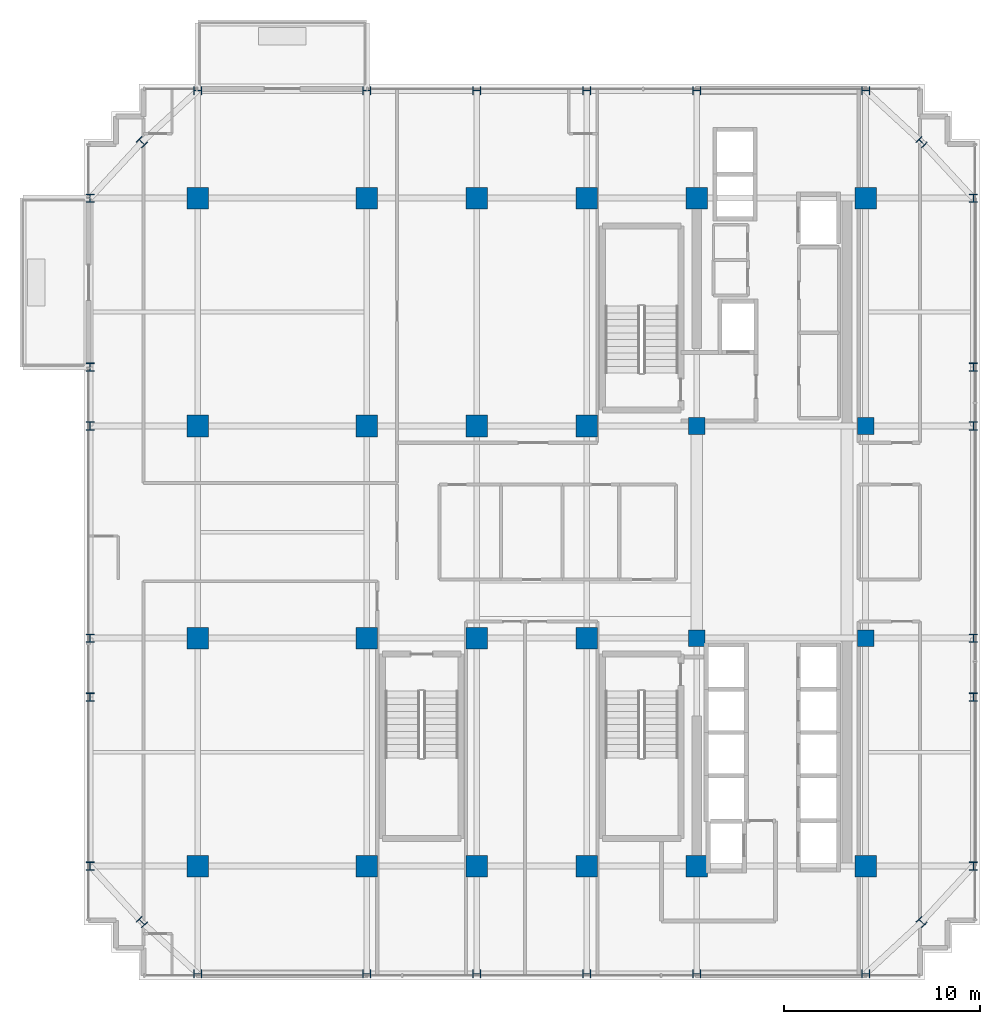
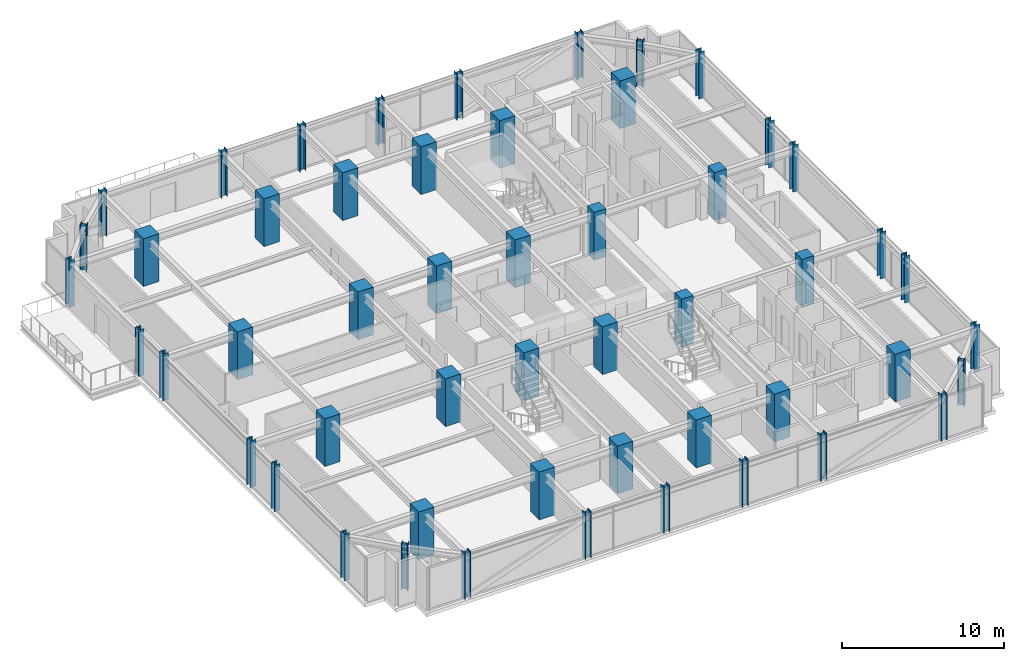
# One storey, part 1 of 32: 52 columns.
"""IFC4 building model written with IfcOpenShell, lengths in metres."""

import ifcopenshell
import ifcopenshell.guid

model = None  # the IFC model being written
_history = None  # IfcOwnerHistory: only IFC2X3 demands one
_inside = {}  # id of a spatial element -> (the spatial element, [elements in it])
_under = {}  # id of a project, library or spatial element -> (it, [spatial elements below it])
_declared = {}  # id of a project -> (the project, [libraries it declares])
_typed = {}  # id of a type object -> (the type object, [elements of that type])
_made_of = {}  # id of a material, layer set ... -> (it, [elements and type objects made of it])


def new_model(schema):
    """Start an empty IFC model of exactly this schema.

    Asked for "IFC4X3", IfcOpenShell would pick the latest addendum, in which some entities
    have other attributes; the version numbers below select the first issue.
    IFC2X3 requires an IfcOwnerHistory on every rooted entity: one is made here for all.
    """
    global model, _history
    if schema == "IFC4X3":
        model = ifcopenshell.file(schema_version=(4, 3, 0, 0))
    else:
        model = ifcopenshell.file(schema=schema)
    _inside.clear()
    _under.clear()
    _declared.clear()
    _typed.clear()
    _made_of.clear()
    _history = None
    if model.schema == "IFC2X3":
        org = make("IfcOrganization", Name="unknown")
        user = make(
            "IfcPersonAndOrganization",
            ThePerson=make("IfcPerson", FamilyName="unknown"),
            TheOrganization=org,
        )
        app = make(
            "IfcApplication",
            ApplicationDeveloper=org,
            Version="unknown",
            ApplicationFullName="unknown",
            ApplicationIdentifier="unknown",
        )
        _history = make(
            "IfcOwnerHistory",
            OwningUser=user,
            OwningApplication=app,
            ChangeAction="ADDED",
            CreationDate=0,
        )
    return model


def make(cls, **values):
    """One entity of the class cls with the attributes given. An attribute that is None is left unset."""
    return model.create_entity(
        cls, **{name: value for name, value in values.items() if value is not None}
    )


def rooted(cls, **values):
    """An entity with a GlobalId (a new one), such as an element, a storey or a relation."""
    return make(cls, GlobalId=ifcopenshell.guid.new(), OwnerHistory=_history, **values)


def si_unit(unit_type, name, prefix=None):
    """IfcSIUnit, for example si_unit("LENGTHUNIT", "METRE", prefix="MILLI")."""
    return make("IfcSIUnit", UnitType=unit_type, Prefix=prefix, Name=name)


def assignment(units):
    """IfcUnitAssignment: the units of a project."""
    return None if units is None else make("IfcUnitAssignment", Units=units)


def point(xyz):
    """IfcCartesianPoint."""
    return None if xyz is None else make("IfcCartesianPoint", Coordinates=xyz)


def direction(xyz):
    """IfcDirection."""
    return None if xyz is None else make("IfcDirection", DirectionRatios=xyz)


def frame(location, z_axis=None, x_axis=None):
    """IfcAxis2Placement3D, a coordinate frame: its origin and axes. An axis left out is left unset."""
    return make(
        "IfcAxis2Placement3D",
        Location=point(location),
        Axis=direction(z_axis),
        RefDirection=direction(x_axis),
    )


def frame_2d(location, x_axis=None):
    """IfcAxis2Placement2D, a coordinate frame in the plane: its origin and x axis."""
    return make(
        "IfcAxis2Placement2D", Location=point(location), RefDirection=direction(x_axis)
    )


def origin():
    """The frame at (0, 0, 0) with its axes left unset."""
    return frame((0.0, 0.0, 0.0))


def origin_2d():
    """The frame at (0, 0) in the plane with its x axis left unset."""
    return frame_2d((0.0, 0.0))


def place(relative_to, where):
    """IfcLocalPlacement: puts the frame where relative to a parent placement (None: the world)."""
    return make(
        "IfcLocalPlacement", PlacementRelTo=relative_to, RelativePlacement=where
    )


def context(
    kind, dimensions, precision=None, world=None, true_north=None, identifier=None
):
    """IfcGeometricRepresentationContext, for example the 3D "Model" context."""
    return make(
        "IfcGeometricRepresentationContext",
        ContextIdentifier=identifier,
        ContextType=kind,
        CoordinateSpaceDimension=dimensions,
        Precision=precision,
        WorldCoordinateSystem=world,
        TrueNorth=true_north,
    )


def subcontext(parent, identifier, kind, view, scale=None):
    """IfcGeometricRepresentationSubContext, for example "Body" below "Model"."""
    return make(
        "IfcGeometricRepresentationSubContext",
        ContextIdentifier=identifier,
        ContextType=kind,
        ParentContext=parent,
        TargetScale=scale,
        TargetView=view,
    )


def project(units=None, contexts=None):
    """IfcProject with its units and contexts."""
    return rooted(
        "IfcProject",
        Name="project",
        RepresentationContexts=contexts,
        UnitsInContext=assignment(units),
    )


def spatial(cls, under=None, at=None, **own):
    """A site, building, storey or space (cls), placed at a placement, below another one or the project."""
    s = rooted(cls, ObjectPlacement=at, **own)
    if under is not None:
        _under.setdefault(under.id(), (under, []))[1].append(s)
    return s


def profile(cls, at=None, kind="AREA", **sizes):
    """A parametric profile (cls). Its sizes go by their IFC names, for example OverallWidth=200.0."""
    return make(cls, ProfileType=kind, Position=at, **sizes)


def rectangle(**sizes):
    """IfcRectangleProfileDef."""
    return profile("IfcRectangleProfileDef", **sizes)


def i_section(**sizes):
    """IfcIShapeProfileDef."""
    return profile("IfcIShapeProfileDef", **sizes)


def extrude(swept, where, along, depth):
    """IfcExtrudedAreaSolid: the profile swept, set in the frame where, extruded along a direction by depth."""
    return make(
        "IfcExtrudedAreaSolid",
        SweptArea=swept,
        Position=where,
        ExtrudedDirection=direction(along),
        Depth=depth,
    )


def shape(context_of_items, identifier, shape_type, items):
    """IfcShapeRepresentation: the items that make up one representation, for example the "Body"."""
    return make(
        "IfcShapeRepresentation",
        ContextOfItems=context_of_items,
        RepresentationIdentifier=identifier,
        RepresentationType=shape_type,
        Items=items,
    )


def source(mapping_origin, context_of_items, identifier, shape_type, items):
    """IfcRepresentationMap: a shape defined once, which mapped items show again and again."""
    return make(
        "IfcRepresentationMap",
        MappingOrigin=mapping_origin,
        MappedRepresentation=shape(context_of_items, identifier, shape_type, items),
    )


def transform(
    local_origin,
    x_axis=None,
    y_axis=None,
    z_axis=None,
    scale=None,
    scale2=None,
    scale3=None,
    uniform=True,
):
    """IfcCartesianTransformationOperator3D, or its non-uniform kind. x_axis, y_axis, z_axis: its Axis1, 2, 3."""
    if uniform:
        return make(
            "IfcCartesianTransformationOperator3D",
            Axis1=direction(x_axis),
            Axis2=direction(y_axis),
            LocalOrigin=point(local_origin),
            Scale=scale,
            Axis3=direction(z_axis),
        )
    return make(
        "IfcCartesianTransformationOperator3DnonUniform",
        Axis1=direction(x_axis),
        Axis2=direction(y_axis),
        LocalOrigin=point(local_origin),
        Scale=scale,
        Axis3=direction(z_axis),
        Scale2=scale2,
        Scale3=scale3,
    )


def mapped(mapping_source, mapping_target):
    """IfcMappedItem: shows the shape of a source again, moved by a transform."""
    return make(
        "IfcMappedItem", MappingSource=mapping_source, MappingTarget=mapping_target
    )


def material(Name=None, Category=None):
    """IfcMaterial."""
    return make("IfcMaterial", Name=Name, Category=Category)


def material_profile(
    of_material, cross_section, Name=None, Category=None, Priority=None
):
    """IfcMaterialProfile: a cross section and its material."""
    return make(
        "IfcMaterialProfile",
        Name=Name,
        Material=of_material,
        Profile=cross_section,
        Priority=Priority,
        Category=Category,
    )


def profile_set(profiles, Name=None, composite=None):
    """IfcMaterialProfileSet."""
    return make(
        "IfcMaterialProfileSet",
        Name=Name,
        MaterialProfiles=profiles,
        CompositeProfile=composite,
    )


def made_of(thing, what):
    """Note that an element or type object is made of a material, layer set ...; save() writes the relation."""
    if what is not None:
        _made_of.setdefault(what.id(), (what, []))[1].append(thing)
    return thing


def type_object(cls, material=None, **own):
    """A type object (cls), such as IfcWallType, which elements share."""
    return made_of(rooted(cls, **own), material)


def element(
    cls,
    number,
    at=None,
    inside=None,
    cuts=None,
    type_object=None,
    material=None,
    context=None,
    identifier="Body",
    shape_type=None,
    held_by="IfcProductDefinitionShape",
    body=None,
    shapes=None,
    **own,
):
    """One element of the class cls, such as IfcWall. Its Tag is "e" and its number.

    at: its placement. inside: the storey or other place that contains it. cuts: it is an
    opening in that element (IfcRelVoidsElement). A single representation is given by context,
    identifier, shape_type and body (its items); several are given by shapes. held_by: the class
    of the entity that holds the representations. save() writes the other relations.
    """
    e = rooted(cls, Tag="e%d" % number, ObjectPlacement=at, **own)
    if body is not None:
        shapes = [shape(context, identifier, shape_type, body)]
    if shapes is not None:
        e.Representation = make(held_by, Representations=shapes)
    if inside is not None:
        _inside.setdefault(inside.id(), (inside, []))[1].append(e)
    if cuts is not None:
        rooted(
            "IfcRelVoidsElement", RelatingBuildingElement=cuts, RelatedOpeningElement=e
        )
    if type_object is not None:
        _typed.setdefault(type_object.id(), (type_object, []))[1].append(e)
    return made_of(e, material)


def aggregate(whole, parts):
    """IfcRelAggregates: a whole, such as a stair, and the parts it consists of."""
    return rooted("IfcRelAggregates", RelatingObject=whole, RelatedObjects=parts)


def save(model, path):
    """Write the relations noted so far, then the file.

    IfcRelAggregates (storeys below a building ...), IfcRelContainedInSpatialStructure (elements
    in a storey), IfcRelDefinesByType, IfcRelAssociatesMaterial and IfcRelDeclares: one each for
    every whole, place, type object, material and project.
    """
    for whole, parts in _under.values():
        aggregate(whole, parts)
    for where, things in _inside.values():
        rooted(
            "IfcRelContainedInSpatialStructure",
            RelatedElements=things,
            RelatingStructure=where,
        )
    for kind, things in _typed.values():
        rooted("IfcRelDefinesByType", RelatedObjects=things, RelatingType=kind)
    for what, things in _made_of.values():
        rooted("IfcRelAssociatesMaterial", RelatedObjects=things, RelatingMaterial=what)
    for by, libraries in _declared.values():
        rooted("IfcRelDeclares", RelatingContext=by, RelatedDefinitions=libraries)
    model.write(path)


model = new_model("IFC4")

# Units and contexts
model_context = context("Model", 3, precision=1e-05, world=origin(), true_north=direction((0.0, 1.0)))
body_context = subcontext(model_context, "Body", "Model", "MODEL_VIEW")
ifc_project = project(units=[si_unit("LENGTHUNIT", "METRE"), si_unit("AREAUNIT", "SQUARE_METRE"), si_unit("VOLUMEUNIT", "CUBIC_METRE"), si_unit("PLANEANGLEUNIT", "RADIAN"), si_unit("MASSUNIT", "GRAM", prefix="KILO")], contexts=[model_context])

# Site, building, storey
site_placement = place(None, origin())
site = spatial("IfcSite", under=ifc_project, at=site_placement, CompositionType="ELEMENT")
building_placement = place(site_placement, origin())
building = spatial("IfcBuilding", under=site, at=building_placement, Name="Nahalor Promenade Grand Hotel", CompositionType="ELEMENT")
storey_placement = place(building_placement, frame((0.0, 0.0, 196.449951171875)))
storey = spatial("IfcBuildingStorey", under=building, at=storey_placement, Name="L50", CompositionType="ELEMENT", Elevation=196.449951171875)

# Columns
ifc_material_1 = material(Name="Concrete B-70 (C60/75)", Category="concrete")
ifc_material_profile_1 = material_profile(ifc_material_1, rectangle(XDim=0.85, YDim=0.85, at=origin_2d()), Name="RC 850x850")
ifc_profile_set_1 = profile_set([ifc_material_profile_1], Name="Concrete B-70 (C60/75)")
column_type_1 = type_object("IfcColumnType", Name="Col-Pilaster-850", PredefinedType="PILASTER", material=ifc_profile_set_1)
shared_shape_1 = source(origin(), body_context, "Body", "SweptSolid", [
    extrude(rectangle(XDim=0.85, YDim=0.85, at=origin_2d()), origin(), (0.0, 0.0, 1.0), 3.60498046875),
])
for number, where, z_axis, x_axis, name in (
    (1, (8.39990234375, -5.39990234375, 0.0), (0.0, 0.0, 1.0), (1.0, 0.0, 0.0), "COL-L50-I41"),
    (2, (8.39990234375, 5.39990234375, 0.0), (0.0, 0.0, 1.0), (1.0, 0.0, 0.0), "COL-L50-I42"),
    (3, (17.0, -5.39990234375, 0.0), (0.0, 0.0, 1.0), (1.0, 0.0, 0.0), "COL-L50-I51"),
    (4, (17.0, 5.39990234375, 0.0), (0.0, 0.0, 1.0), (1.0, 0.0, 0.0), "COL-L50-I52"),
):
    element("IfcColumn", number, at=place(storey_placement, frame(where, z_axis=z_axis, x_axis=x_axis)), inside=storey, type_object=column_type_1, Name=name, PredefinedType="PILASTER", context=body_context, shape_type="MappedRepresentation", body=[
        mapped(shared_shape_1, transform((0.0, 0.0, 0.0), scale=1.0)),
    ])
ifc_material_2 = material(Name="Concrete B-60 (C50/60)", Category="concrete")
ifc_material_profile_2 = material_profile(ifc_material_2, rectangle(XDim=1.1, YDim=1.1, at=origin_2d()), Name="RC 1100x1100")
ifc_profile_set_2 = profile_set([ifc_material_profile_2], Name="Concrete B-60 (C50/60)")
column_type_2 = type_object("IfcColumnType", Name="Col-RC-1100", PredefinedType="COLUMN", material=ifc_profile_set_2)
shared_shape_2 = source(origin(), body_context, "Body", "SweptSolid", [
    extrude(rectangle(XDim=1.1, YDim=1.1, at=origin_2d()), origin(), (0.0, 0.0, 1.0), 3.60498046875),
])
for number, where, z_axis, x_axis, name in (
    (5, (-17.0, -17.0, 0.0), (0.0, 0.0, 1.0), (1.0, 0.0, 0.0), "COL-L50-I00"),
    (6, (-17.0, -5.39990234375, 0.0), (0.0, 0.0, 1.0), (1.0, 0.0, 0.0), "COL-L50-I01"),
    (7, (-17.0, 5.39990234375, 0.0), (0.0, 0.0, 1.0), (1.0, 0.0, 0.0), "COL-L50-I02"),
    (8, (-17.0, 17.0, 0.0), (0.0, 0.0, 1.0), (1.0, 0.0, 0.0), "COL-L50-I03"),
    (9, (-8.39990234375, -17.0, 0.0), (0.0, 0.0, 1.0), (1.0, 0.0, 0.0), "COL-L50-I10"),
    (10, (-8.39990234375, -5.39990234375, 0.0), (0.0, 0.0, 1.0), (1.0, 0.0, 0.0), "COL-L50-I11"),
    (11, (-8.39990234375, 5.39990234375, 0.0), (0.0, 0.0, 1.0), (1.0, 0.0, 0.0), "COL-L50-I12"),
    (12, (-8.39990234375, 17.0, 0.0), (0.0, 0.0, 1.0), (1.0, 0.0, 0.0), "COL-L50-I13"),
    (13, (-2.800048828125, -17.0, 0.0), (0.0, 0.0, 1.0), (1.0, 0.0, 0.0), "COL-L50-I20"),
    (14, (-2.800048828125, -5.39990234375, 0.0), (0.0, 0.0, 1.0), (1.0, 0.0, 0.0), "COL-L50-I21"),
    (15, (-2.800048828125, 5.39990234375, 0.0), (0.0, 0.0, 1.0), (1.0, 0.0, 0.0), "COL-L50-I22"),
    (16, (-2.800048828125, 17.0, 0.0), (0.0, 0.0, 1.0), (1.0, 0.0, 0.0), "COL-L50-I23"),
    (17, (2.800048828125, -17.0, 0.0), (0.0, 0.0, 1.0), (1.0, 0.0, 0.0), "COL-L50-I30"),
    (18, (2.800048828125, -5.39990234375, 0.0), (0.0, 0.0, 1.0), (1.0, 0.0, 0.0), "COL-L50-I31"),
    (19, (2.800048828125, 5.39990234375, 0.0), (0.0, 0.0, 1.0), (1.0, 0.0, 0.0), "COL-L50-I32"),
    (20, (2.800048828125, 17.0, 0.0), (0.0, 0.0, 1.0), (1.0, 0.0, 0.0), "COL-L50-I33"),
    (21, (8.39990234375, -17.0, 0.0), (0.0, 0.0, 1.0), (1.0, 0.0, 0.0), "COL-L50-I40"),
    (22, (8.39990234375, 17.0, 0.0), (0.0, 0.0, 1.0), (1.0, 0.0, 0.0), "COL-L50-I43"),
    (23, (17.0, -17.0, 0.0), (0.0, 0.0, 1.0), (1.0, 0.0, 0.0), "COL-L50-I50"),
    (24, (17.0, 17.0, 0.0), (0.0, 0.0, 1.0), (1.0, 0.0, 0.0), "COL-L50-I53"),
):
    element("IfcColumn", number, at=place(storey_placement, frame(where, z_axis=z_axis, x_axis=x_axis)), inside=storey, type_object=column_type_2, Name=name, PredefinedType="COLUMN", context=body_context, shape_type="MappedRepresentation", body=[
        mapped(shared_shape_2, transform((0.0, 0.0, 0.0), scale=1.0)),
    ])
ifc_material_3 = material(Name="Steel S355J2", Category="steel")
ifc_material_profile_3 = material_profile(ifc_material_3, i_section(OverallWidth=0.406, OverallDepth=0.422, WebThickness=0.019, FlangeThickness=0.0305, at=origin_2d()), Name="HD 400x382")
ifc_profile_set_3 = profile_set([ifc_material_profile_3], Name="Steel S355J2")
column_type_3 = type_object("IfcColumnType", Name="Col-Steel-HD382", PredefinedType="COLUMN", material=ifc_profile_set_3)
shared_shape_3 = source(origin(), body_context, "Body", "SweptSolid", [
    extrude(i_section(OverallWidth=0.406, OverallDepth=0.422, WebThickness=0.019, FlangeThickness=0.0305, at=origin_2d()), origin(), (0.0, 0.0, 1.0), 3.505126953125),
])
for number, where, z_axis, x_axis, name in (
    (25, (-22.47998046875, -17.0, 0.0), (0.0, 0.0, 1.0), (1.0, 0.0, 0.0), "COL-L50-PW-W0"),
    (26, (22.47998046875, -17.0, 0.0), (0.0, 0.0, 1.0), (1.0, 0.0, 0.0), "COL-L50-PW-E0"),
    (27, (-22.47998046875, -8.39990234375, 0.0), (0.0, 0.0, 1.0), (1.0, 0.0, 0.0), "COL-L50-PW-W1"),
    (28, (22.47998046875, -8.39990234375, 0.0), (0.0, 0.0, 1.0), (1.0, 0.0, 0.0), "COL-L50-PW-E1"),
    (29, (-22.47998046875, -5.39990234375, 0.0), (0.0, 0.0, 1.0), (1.0, 0.0, 0.0), "COL-L50-PW-W2"),
    (30, (22.47998046875, -5.39990234375, 0.0), (0.0, 0.0, 1.0), (1.0, 0.0, 0.0), "COL-L50-PW-E2"),
    (31, (-22.47998046875, 5.39990234375, 0.0), (0.0, 0.0, 1.0), (1.0, 0.0, 0.0), "COL-L50-PW-W3"),
    (32, (22.47998046875, 5.39990234375, 0.0), (0.0, 0.0, 1.0), (1.0, 0.0, 0.0), "COL-L50-PW-E3"),
    (33, (-22.47998046875, 8.39990234375, 0.0), (0.0, 0.0, 1.0), (1.0, 0.0, 0.0), "COL-L50-PW-W4"),
    (34, (22.47998046875, 8.39990234375, 0.0), (0.0, 0.0, 1.0), (1.0, 0.0, 0.0), "COL-L50-PW-E4"),
    (35, (-22.47998046875, 17.0, 0.0), (0.0, 0.0, 1.0), (1.0, 0.0, 0.0), "COL-L50-PW-W5"),
    (36, (22.47998046875, 17.0, 0.0), (0.0, 0.0, 1.0), (1.0, 0.0, 0.0), "COL-L50-PW-E5"),
    (37, (-17.0, -22.47998046875, 0.0), (0.0, 0.0, 1.0), (0.0, 1.0, 0.0), "COL-L50-PN-S0"),
    (38, (-17.0, 22.47998046875, 0.0), (0.0, 0.0, 1.0), (0.0, 1.0, 0.0), "COL-L50-PN-N0"),
    (39, (-8.39990234375, -22.47998046875, 0.0), (0.0, 0.0, 1.0), (0.0, 1.0, 0.0), "COL-L50-PN-S1"),
    (40, (-8.39990234375, 22.47998046875, 0.0), (0.0, 0.0, 1.0), (0.0, 1.0, 0.0), "COL-L50-PN-N1"),
    (41, (-2.800048828125, -22.47998046875, 0.0), (0.0, 0.0, 1.0), (0.0, 1.0, 0.0), "COL-L50-PN-S2"),
    (42, (-2.800048828125, 22.47998046875, 0.0), (0.0, 0.0, 1.0), (0.0, 1.0, 0.0), "COL-L50-PN-N2"),
    (43, (2.800048828125, -22.47998046875, 0.0), (0.0, 0.0, 1.0), (0.0, 1.0, 0.0), "COL-L50-PN-S3"),
    (44, (2.800048828125, 22.47998046875, 0.0), (0.0, 0.0, 1.0), (0.0, 1.0, 0.0), "COL-L50-PN-N3"),
    (45, (8.39990234375, -22.47998046875, 0.0), (0.0, 0.0, 1.0), (0.0, 1.0, 0.0), "COL-L50-PN-S4"),
    (46, (8.39990234375, 22.47998046875, 0.0), (0.0, 0.0, 1.0), (0.0, 1.0, 0.0), "COL-L50-PN-N4"),
    (47, (17.0, -22.47998046875, 0.0), (0.0, 0.0, 1.0), (0.0, 1.0, 0.0), "COL-L50-PN-S5"),
    (48, (17.0, 22.47998046875, 0.0), (0.0, 0.0, 1.0), (0.0, 1.0, 0.0), "COL-L50-PN-N5"),
    (49, (-19.85009765625, -19.85009765625, 0.0), (0.0, 0.0, 1.0), (0.707106781187, 0.707106781187, 0.0), "COL-L50-CRN-SW"),
    (50, (-19.85009765625, 19.85009765625, 0.0), (0.0, 0.0, 1.0), (0.707106781187, 0.707106781187, 0.0), "COL-L50-CRN-NW"),
    (51, (19.85009765625, -19.85009765625, 0.0), (0.0, 0.0, 1.0), (0.707106781187, 0.707106781187, 0.0), "COL-L50-CRN-SE"),
    (52, (19.85009765625, 19.85009765625, 0.0), (0.0, 0.0, 1.0), (0.707106781187, 0.707106781187, 0.0), "COL-L50-CRN-NE"),
):
    element("IfcColumn", number, at=place(storey_placement, frame(where, z_axis=z_axis, x_axis=x_axis)), inside=storey, type_object=column_type_3, Name=name, PredefinedType="COLUMN", context=body_context, shape_type="MappedRepresentation", body=[
        mapped(shared_shape_3, transform((0.0, 0.0, 0.0), scale=1.0)),
    ])

save(model, "model.ifc")
